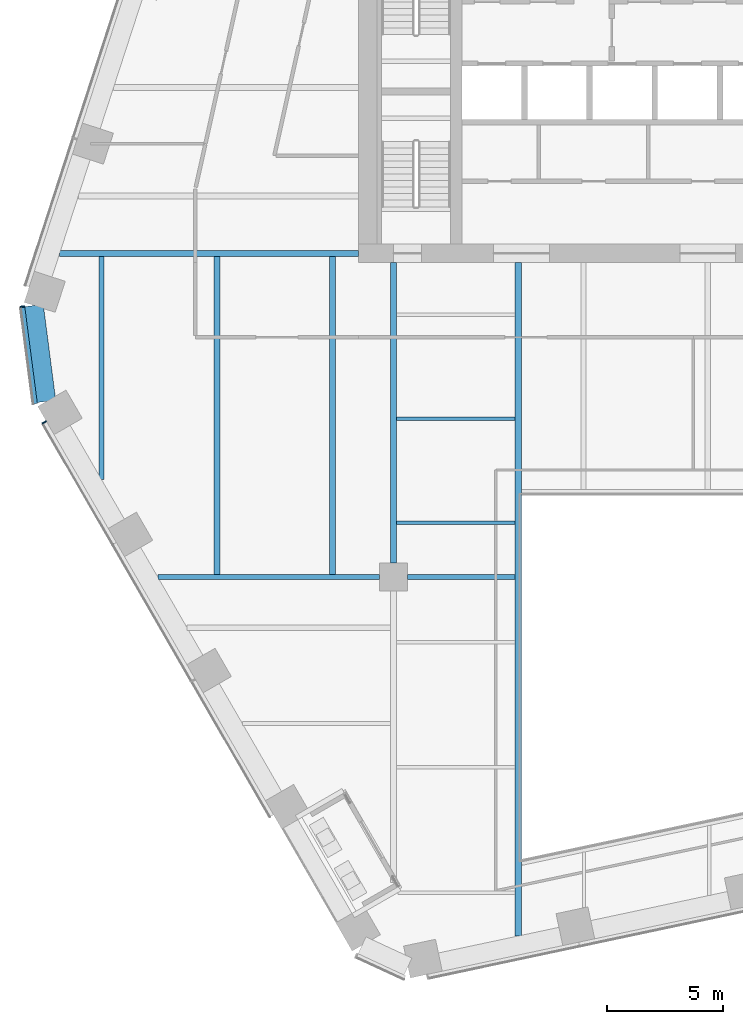
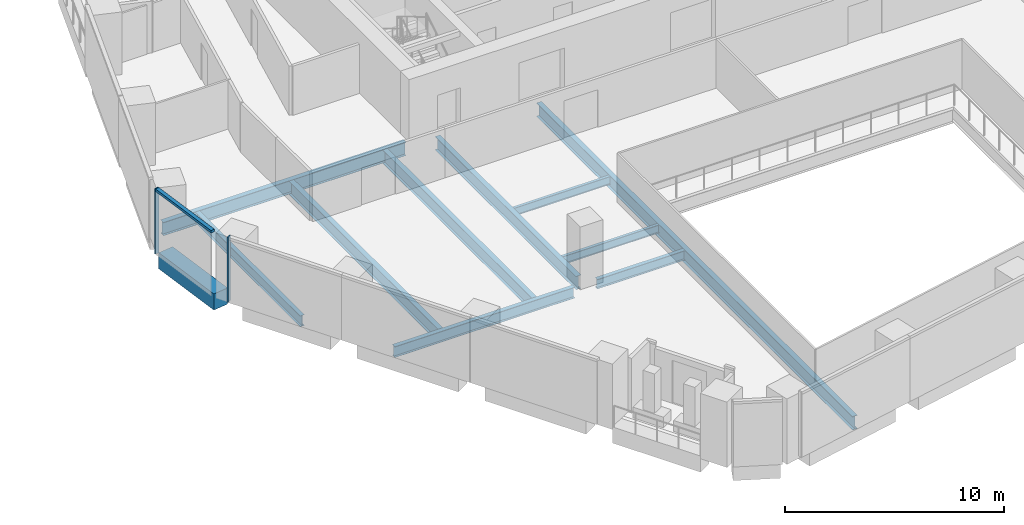
# One storey, part 4 of 26: 11 beams, 3 members, 2 elements without a shape of their own.
"""IFC4 building model written with IfcOpenShell, lengths in metres."""

import ifcopenshell
import ifcopenshell.guid

model = None  # the IFC model being written
_history = None  # IfcOwnerHistory: only IFC2X3 demands one
_inside = {}  # id of a spatial element -> (the spatial element, [elements in it])
_under = {}  # id of a project, library or spatial element -> (it, [spatial elements below it])
_declared = {}  # id of a project -> (the project, [libraries it declares])
_typed = {}  # id of a type object -> (the type object, [elements of that type])
_made_of = {}  # id of a material, layer set ... -> (it, [elements and type objects made of it])


def new_model(schema):
    """Start an empty IFC model of exactly this schema.

    Asked for "IFC4X3", IfcOpenShell would pick the latest addendum, in which some entities
    have other attributes; the version numbers below select the first issue.
    IFC2X3 requires an IfcOwnerHistory on every rooted entity: one is made here for all.
    """
    global model, _history
    if schema == "IFC4X3":
        model = ifcopenshell.file(schema_version=(4, 3, 0, 0))
    else:
        model = ifcopenshell.file(schema=schema)
    _inside.clear()
    _under.clear()
    _declared.clear()
    _typed.clear()
    _made_of.clear()
    _history = None
    if model.schema == "IFC2X3":
        org = make("IfcOrganization", Name="unknown")
        user = make(
            "IfcPersonAndOrganization",
            ThePerson=make("IfcPerson", FamilyName="unknown"),
            TheOrganization=org,
        )
        app = make(
            "IfcApplication",
            ApplicationDeveloper=org,
            Version="unknown",
            ApplicationFullName="unknown",
            ApplicationIdentifier="unknown",
        )
        _history = make(
            "IfcOwnerHistory",
            OwningUser=user,
            OwningApplication=app,
            ChangeAction="ADDED",
            CreationDate=0,
        )
    return model


def make(cls, **values):
    """One entity of the class cls with the attributes given. An attribute that is None is left unset."""
    return model.create_entity(
        cls, **{name: value for name, value in values.items() if value is not None}
    )


def rooted(cls, **values):
    """An entity with a GlobalId (a new one), such as an element, a storey or a relation."""
    return make(cls, GlobalId=ifcopenshell.guid.new(), OwnerHistory=_history, **values)


def si_unit(unit_type, name, prefix=None):
    """IfcSIUnit, for example si_unit("LENGTHUNIT", "METRE", prefix="MILLI")."""
    return make("IfcSIUnit", UnitType=unit_type, Prefix=prefix, Name=name)


def assignment(units):
    """IfcUnitAssignment: the units of a project."""
    return None if units is None else make("IfcUnitAssignment", Units=units)


def point(xyz):
    """IfcCartesianPoint."""
    return None if xyz is None else make("IfcCartesianPoint", Coordinates=xyz)


def direction(xyz):
    """IfcDirection."""
    return None if xyz is None else make("IfcDirection", DirectionRatios=xyz)


def frame(location, z_axis=None, x_axis=None):
    """IfcAxis2Placement3D, a coordinate frame: its origin and axes. An axis left out is left unset."""
    return make(
        "IfcAxis2Placement3D",
        Location=point(location),
        Axis=direction(z_axis),
        RefDirection=direction(x_axis),
    )


def frame_2d(location, x_axis=None):
    """IfcAxis2Placement2D, a coordinate frame in the plane: its origin and x axis."""
    return make(
        "IfcAxis2Placement2D", Location=point(location), RefDirection=direction(x_axis)
    )


def origin():
    """The frame at (0, 0, 0) with its axes left unset."""
    return frame((0.0, 0.0, 0.0))


def origin_2d():
    """The frame at (0, 0) in the plane with its x axis left unset."""
    return frame_2d((0.0, 0.0))


def place(relative_to, where):
    """IfcLocalPlacement: puts the frame where relative to a parent placement (None: the world)."""
    return make(
        "IfcLocalPlacement", PlacementRelTo=relative_to, RelativePlacement=where
    )


def context(
    kind, dimensions, precision=None, world=None, true_north=None, identifier=None
):
    """IfcGeometricRepresentationContext, for example the 3D "Model" context."""
    return make(
        "IfcGeometricRepresentationContext",
        ContextIdentifier=identifier,
        ContextType=kind,
        CoordinateSpaceDimension=dimensions,
        Precision=precision,
        WorldCoordinateSystem=world,
        TrueNorth=true_north,
    )


def subcontext(parent, identifier, kind, view, scale=None):
    """IfcGeometricRepresentationSubContext, for example "Body" below "Model"."""
    return make(
        "IfcGeometricRepresentationSubContext",
        ContextIdentifier=identifier,
        ContextType=kind,
        ParentContext=parent,
        TargetScale=scale,
        TargetView=view,
    )


def project(units=None, contexts=None):
    """IfcProject with its units and contexts."""
    return rooted(
        "IfcProject",
        Name="project",
        RepresentationContexts=contexts,
        UnitsInContext=assignment(units),
    )


def spatial(cls, under=None, at=None, **own):
    """A site, building, storey or space (cls), placed at a placement, below another one or the project."""
    s = rooted(cls, ObjectPlacement=at, **own)
    if under is not None:
        _under.setdefault(under.id(), (under, []))[1].append(s)
    return s


def profile(cls, at=None, kind="AREA", **sizes):
    """A parametric profile (cls). Its sizes go by their IFC names, for example OverallWidth=200.0."""
    return make(cls, ProfileType=kind, Position=at, **sizes)


def rectangle(**sizes):
    """IfcRectangleProfileDef."""
    return profile("IfcRectangleProfileDef", **sizes)


def i_section(**sizes):
    """IfcIShapeProfileDef."""
    return profile("IfcIShapeProfileDef", **sizes)


def extrude(swept, where, along, depth):
    """IfcExtrudedAreaSolid: the profile swept, set in the frame where, extruded along a direction by depth."""
    return make(
        "IfcExtrudedAreaSolid",
        SweptArea=swept,
        Position=where,
        ExtrudedDirection=direction(along),
        Depth=depth,
    )


def shape(context_of_items, identifier, shape_type, items):
    """IfcShapeRepresentation: the items that make up one representation, for example the "Body"."""
    return make(
        "IfcShapeRepresentation",
        ContextOfItems=context_of_items,
        RepresentationIdentifier=identifier,
        RepresentationType=shape_type,
        Items=items,
    )


def material(Name=None, Category=None):
    """IfcMaterial."""
    return make("IfcMaterial", Name=Name, Category=Category)


def layer(
    of_material, thickness, ventilated=None, Name=None, Category=None, Priority=None
):
    """IfcMaterialLayer: one layer of a wall or slab, of a material (None: an air gap)."""
    return make(
        "IfcMaterialLayer",
        Material=of_material,
        LayerThickness=thickness,
        IsVentilated=ventilated,
        Name=Name,
        Category=Category,
        Priority=Priority,
    )


def layer_set(layers, Name=None):
    """IfcMaterialLayerSet."""
    return make("IfcMaterialLayerSet", MaterialLayers=layers, LayerSetName=Name)


def material_profile(
    of_material, cross_section, Name=None, Category=None, Priority=None
):
    """IfcMaterialProfile: a cross section and its material."""
    return make(
        "IfcMaterialProfile",
        Name=Name,
        Material=of_material,
        Profile=cross_section,
        Priority=Priority,
        Category=Category,
    )


def profile_set(profiles, Name=None, composite=None):
    """IfcMaterialProfileSet."""
    return make(
        "IfcMaterialProfileSet",
        Name=Name,
        MaterialProfiles=profiles,
        CompositeProfile=composite,
    )


def made_of(thing, what):
    """Note that an element or type object is made of a material, layer set ...; save() writes the relation."""
    if what is not None:
        _made_of.setdefault(what.id(), (what, []))[1].append(thing)
    return thing


def type_object(cls, material=None, **own):
    """A type object (cls), such as IfcWallType, which elements share."""
    return made_of(rooted(cls, **own), material)


def element(
    cls,
    number,
    at=None,
    inside=None,
    cuts=None,
    type_object=None,
    material=None,
    context=None,
    identifier="Body",
    shape_type=None,
    held_by="IfcProductDefinitionShape",
    body=None,
    shapes=None,
    **own,
):
    """One element of the class cls, such as IfcWall. Its Tag is "e" and its number.

    at: its placement. inside: the storey or other place that contains it. cuts: it is an
    opening in that element (IfcRelVoidsElement). A single representation is given by context,
    identifier, shape_type and body (its items); several are given by shapes. held_by: the class
    of the entity that holds the representations. save() writes the other relations.
    """
    e = rooted(cls, Tag="e%d" % number, ObjectPlacement=at, **own)
    if body is not None:
        shapes = [shape(context, identifier, shape_type, body)]
    if shapes is not None:
        e.Representation = make(held_by, Representations=shapes)
    if inside is not None:
        _inside.setdefault(inside.id(), (inside, []))[1].append(e)
    if cuts is not None:
        rooted(
            "IfcRelVoidsElement", RelatingBuildingElement=cuts, RelatedOpeningElement=e
        )
    if type_object is not None:
        _typed.setdefault(type_object.id(), (type_object, []))[1].append(e)
    return made_of(e, material)


def aggregate(whole, parts):
    """IfcRelAggregates: a whole, such as a stair, and the parts it consists of."""
    return rooted("IfcRelAggregates", RelatingObject=whole, RelatedObjects=parts)


def save(model, path):
    """Write the relations noted so far, then the file.

    IfcRelAggregates (storeys below a building ...), IfcRelContainedInSpatialStructure (elements
    in a storey), IfcRelDefinesByType, IfcRelAssociatesMaterial and IfcRelDeclares: one each for
    every whole, place, type object, material and project.
    """
    for whole, parts in _under.values():
        aggregate(whole, parts)
    for where, things in _inside.values():
        rooted(
            "IfcRelContainedInSpatialStructure",
            RelatedElements=things,
            RelatingStructure=where,
        )
    for kind, things in _typed.values():
        rooted("IfcRelDefinesByType", RelatedObjects=things, RelatingType=kind)
    for what, things in _made_of.values():
        rooted("IfcRelAssociatesMaterial", RelatedObjects=things, RelatingMaterial=what)
    for by, libraries in _declared.values():
        rooted("IfcRelDeclares", RelatingContext=by, RelatedDefinitions=libraries)
    model.write(path)


model = new_model("IFC4")

# Units and contexts
model_context = context("Model", 3, precision=1e-05, world=origin(), true_north=direction((0.0, 1.0)))
body_context = subcontext(model_context, "Body", "Model", "MODEL_VIEW")
ifc_project = project(units=[si_unit("LENGTHUNIT", "METRE"), si_unit("AREAUNIT", "SQUARE_METRE"), si_unit("VOLUMEUNIT", "CUBIC_METRE"), si_unit("PLANEANGLEUNIT", "RADIAN"), si_unit("MASSUNIT", "GRAM", prefix="KILO")], contexts=[model_context])

# Site, building, storey
site_placement = place(None, origin())
site = spatial("IfcSite", under=ifc_project, at=site_placement, CompositionType="ELEMENT")
building_placement = place(site_placement, origin())
building = spatial("IfcBuilding", under=site, at=building_placement, Name="Isthmus Gate Tower", CompositionType="ELEMENT")
storey_placement = place(building_placement, frame((0.0, 0.0, 144.39990234375)))
storey = spatial("IfcBuildingStorey", under=building, at=storey_placement, Name="L35", CompositionType="ELEMENT", Elevation=144.39990234375)

# Curtain wall, member
ifc_material_1 = material(Name="Aluminium, pale champagne anodised", Category="aluminium")
ifc_layer = layer(ifc_material_1, 0.199951171875)
ifc_layer_set = layer_set([ifc_layer], Name="CW-1 UNITISED CURTAIN WALL 200 DEEP")
curtain_wall_type = type_object("IfcCurtainWallType", Name="CW-1 UNITISED CURTAIN WALL 200 DEEP", PredefinedType="NOTDEFINED", material=ifc_layer_set)
curtain_wall_1_placement = place(storey_placement, origin())
curtain_wall_1 = element("IfcCurtainWall", 1, at=curtain_wall_1_placement, inside=storey, type_object=curtain_wall_type, Name="CW-1 NW-SW L35", PredefinedType="NOTDEFINED")
ifc_material_2 = material(Name="Aluminium, pale champagne anodised", Category="aluminium")
ifc_material_profile_1 = material_profile(ifc_material_2, rectangle(XDim=0.06005859375, YDim=0.199951171875, at=origin_2d()), Name="60x200")
ifc_profile_set_1 = profile_set([ifc_material_profile_1], Name="Aluminium, pale champagne anodised")
member_type_1 = type_object("IfcMemberType", Name="CW-1 MULLION 60 X 200", PredefinedType="MULLION", material=ifc_profile_set_1)
member_1_placement = place(storey_placement, frame((-29.42724609375, -1.88525390625, 0.0), z_axis=(0.0, 0.0, 1.0), x_axis=(0.129164534, -0.991623175988, 0.0)))
member_1 = element("IfcMember", 2, at=member_1_placement, type_object=member_type_1, Name="CW-1 mullion", PredefinedType="MULLION", context=body_context, shape_type="SweptSolid", body=[
    extrude(rectangle(XDim=0.06005859375, YDim=0.199951171875, at=origin_2d()), origin(), (0.0, 0.0, 1.0), 3.650146484375),
])

curtain_wall_2_placement = place(storey_placement, origin())
curtain_wall_2 = element("IfcCurtainWall", 3, at=curtain_wall_2_placement, inside=storey, type_object=curtain_wall_type, Name="CW-1 SW L35", PredefinedType="NOTDEFINED")
member_2_placement = place(storey_placement, frame((-28.489501953125, -6.8544921875, 0.0), z_axis=(0.0, 0.0, 1.0), x_axis=(0.5, -0.866025403784, 0.0)))
member_2 = element("IfcMember", 4, at=member_2_placement, type_object=member_type_1, Name="CW-1 mullion", PredefinedType="MULLION", context=body_context, shape_type="SweptSolid", body=[
    extrude(rectangle(XDim=0.06005859375, YDim=0.199951171875, at=origin_2d()), origin(), (0.0, 0.0, 1.0), 3.650146484375),
])
aggregate(curtain_wall_2, [member_2])

# Member
ifc_material_3 = material(Name="Aluminium, pale champagne anodised", Category="aluminium")
ifc_material_profile_2 = material_profile(ifc_material_3, rectangle(XDim=0.199951171875, YDim=0.139892578125, at=origin_2d()), Name="200x140")
ifc_profile_set_2 = profile_set([ifc_material_profile_2], Name="Aluminium, pale champagne anodised")
member_type_2 = type_object("IfcMemberType", Name="CW-1 TRANSOM 200 X 140", PredefinedType="USERDEFINED", material=ifc_profile_set_2)
member_3_placement = place(storey_placement, frame((-29.42333984375, -1.9150390625, 3.580078125), z_axis=(0.129149481977, -0.991625136483, 0.0), x_axis=(0.991625136483, 0.129149481977, 0.0)))
member_3 = element("IfcMember", 5, at=member_3_placement, type_object=member_type_2, Name="CW-1 transom", ObjectType="TRANSOM", PredefinedType="USERDEFINED", context=body_context, shape_type="SweptSolid", body=[
    extrude(rectangle(XDim=0.199951171875, YDim=0.139892578125, at=origin_2d()), origin(), (0.0, 0.0, 1.0), 4.181396484375),
])

aggregate(curtain_wall_1, [member_1, member_3])

# Beams
ifc_material_4 = material(Name="Concrete f'c 60 MPa", Category="concrete")
ifc_material_profile_3 = material_profile(ifc_material_4, rectangle(XDim=0.800048828125, YDim=0.89990234375, at=origin_2d()), Name="RC 800X900")
ifc_profile_set_3 = profile_set([ifc_material_profile_3], Name="Concrete f'c 60 MPa")
beam_type_1 = type_object("IfcBeamType", Name="RC SPANDREL 800 X 900", PredefinedType="SPANDREL", material=ifc_profile_set_3)
beam_1_placement = place(storey_placement, frame((-28.392822265625, -5.955810546875, -0.449951171875), z_axis=(-0.129170777359, 0.991622362735, 0.0), x_axis=(-0.991622362735, -0.129170777359, 0.0)))
element("IfcBeam", 6, at=beam_1_placement, inside=storey, type_object=beam_type_1, Name="str-spandrel-L35-20", PredefinedType="SPANDREL", context=body_context, shape_type="SweptSolid", body=[
    extrude(rectangle(XDim=0.800048828125, YDim=0.89990234375, at=origin_2d()), origin(), (0.0, 0.0, 1.0), 4.15234375),
])
ifc_material_5 = material(Name="Structural steel ASTM A992 Gr 50", Category="steel")
ifc_material_profile_4 = material_profile(ifc_material_5, i_section(OverallWidth=0.15234375, OverallDepth=0.45068359375, WebThickness=0.0078125, FlangeThickness=0.010986328125, at=origin_2d()), Name="W18X35")
ifc_profile_set_4 = profile_set([ifc_material_profile_4], Name="Structural steel ASTM A992 Gr 50")
beam_type_2 = type_object("IfcBeamType", Name="STEEL FLOOR BEAM W18X35", PredefinedType="JOIST", material=ifc_profile_set_4)
for number, where, z_axis, x_axis, name in (
    (7, (-13.3681640625, -11.16259765625, -0.375244140625), (1.0, 0.0, 0.0), (0.0, 1.0, 0.0), "str-beam-L35-07-00"),
    (8, (-13.3681640625, -6.697509765625, -0.375244140625), (1.0, 0.0, 0.0), (0.0, 1.0, 0.0), "str-beam-L35-07-01"),
):
    element("IfcBeam", number, at=place(storey_placement, frame(where, z_axis=z_axis, x_axis=x_axis)), inside=storey, type_object=beam_type_2, Name=name, PredefinedType="JOIST", context=body_context, shape_type="SweptSolid", body=[
        extrude(i_section(OverallWidth=0.15234375, OverallDepth=0.45068359375, WebThickness=0.0078125, FlangeThickness=0.010986328125, at=origin_2d()), origin(), (0.0, 0.0, 1.0), 5.1015625),
    ])
ifc_material_6 = material(Name="Structural steel ASTM A992 Gr 50", Category="steel")
ifc_material_profile_5 = material_profile(ifc_material_6, i_section(OverallWidth=0.228515625, OverallDepth=0.603271484375, WebThickness=0.010986328125, FlangeThickness=0.014404296875, at=origin_2d()), Name="W24X68")
ifc_profile_set_5 = profile_set([ifc_material_profile_5], Name="Structural steel ASTM A992 Gr 50")
beam_type_3 = type_object("IfcBeamType", Name="STEEL FLOOR BEAM W24X68", PredefinedType="JOIST", material=ifc_profile_set_5)
beam_2_placement = place(storey_placement, frame((-26.028564453125, -9.317138671875, -0.451416015625), z_axis=(0.0, 1.0, 0.0), x_axis=(-1.0, 0.0, 0.0)))
element("IfcBeam", 9, at=beam_2_placement, inside=storey, type_object=beam_type_3, Name="str-beam-L35-01-00", PredefinedType="JOIST", context=body_context, shape_type="SweptSolid", body=[
    extrude(i_section(OverallWidth=0.228515625, OverallDepth=0.603271484375, WebThickness=0.010986328125, FlangeThickness=0.014404296875, at=origin_2d()), origin(), (0.0, 0.0, 1.0), 9.58544921875),
])
ifc_material_7 = material(Name="Structural steel ASTM A992 Gr 50", Category="steel")
ifc_material_profile_6 = material_profile(ifc_material_7, i_section(OverallWidth=0.263427734375, OverallDepth=0.749267578125, WebThickness=0.0126953125, FlangeThickness=0.015869140625, at=origin_2d()), Name="W30X90")
ifc_profile_set_6 = profile_set([ifc_material_profile_6], Name="Structural steel ASTM A992 Gr 50")
beam_type_4 = type_object("IfcBeamType", Name="STEEL FLOOR BEAM W30X90", PredefinedType="JOIST", material=ifc_profile_set_6)
for number, where, z_axis, x_axis, name in (
    (10, (-21.06982421875, -13.3857421875, -0.524658203125), (0.0, 1.0, 0.0), (-1.0, 0.0, 0.0), "str-beam-L35-01-01"),
    (11, (-16.111083984375, -13.3857421875, -0.524658203125), (0.0, 1.0, 0.0), (-1.0, 0.0, 0.0), "str-beam-L35-01-02"),
):
    element("IfcBeam", number, at=place(storey_placement, frame(where, z_axis=z_axis, x_axis=x_axis)), inside=storey, type_object=beam_type_4, Name=name, PredefinedType="JOIST", context=body_context, shape_type="SweptSolid", body=[
        extrude(i_section(OverallWidth=0.263427734375, OverallDepth=0.749267578125, WebThickness=0.0126953125, FlangeThickness=0.015869140625, at=origin_2d()), origin(), (0.0, 0.0, 1.0), 13.654052734375),
    ])
ifc_material_8 = material(Name="Structural steel ASTM A992 Gr 50", Category="steel")
ifc_material_profile_7 = material_profile(ifc_material_8, i_section(OverallWidth=0.20947265625, OverallDepth=0.533447265625, WebThickness=0.009521484375, FlangeThickness=0.015869140625, at=origin_2d()), Name="W21X62")
ifc_profile_set_7 = profile_set([ifc_material_profile_7], Name="Structural steel ASTM A992 Gr 50")
beam_type_5 = type_object("IfcBeamType", Name="STEEL GIRDER W21X62", PredefinedType="BEAM", material=ifc_profile_set_7)
beam_3_placement = place(storey_placement, frame((-12.89990234375, -13.5, -0.41650390625), z_axis=(1.0, 0.0, 0.0), x_axis=(0.0, 1.0, 0.0)))
element("IfcBeam", 12, at=beam_3_placement, inside=storey, type_object=beam_type_5, Name="str-girder-L35-02", PredefinedType="BEAM", context=body_context, shape_type="SweptSolid", body=[
    extrude(i_section(OverallWidth=0.20947265625, OverallDepth=0.533447265625, WebThickness=0.009521484375, FlangeThickness=0.015869140625, at=origin_2d()), origin(), (0.0, 0.0, 1.0), 4.63330078125),
])
ifc_material_9 = material(Name="Structural steel ASTM A992 Gr 50", Category="steel")
ifc_material_profile_8 = material_profile(ifc_material_9, i_section(OverallWidth=0.228515625, OverallDepth=0.6064453125, WebThickness=0.010986328125, FlangeThickness=0.017578125, at=origin_2d()), Name="W24X76")
ifc_profile_set_8 = profile_set([ifc_material_profile_8], Name="Structural steel ASTM A992 Gr 50")
beam_type_6 = type_object("IfcBeamType", Name="STEEL GIRDER W24X76", PredefinedType="BEAM", material=ifc_profile_set_8)
beam_4_placement = place(storey_placement, frame((-23.613525390625, -13.5, -0.453125), z_axis=(1.0, 0.0, 0.0), x_axis=(0.0, 1.0, 0.0)))
element("IfcBeam", 13, at=beam_4_placement, inside=storey, type_object=beam_type_6, Name="str-girder-L35-01", PredefinedType="BEAM", context=body_context, shape_type="SweptSolid", body=[
    extrude(i_section(OverallWidth=0.228515625, OverallDepth=0.6064453125, WebThickness=0.010986328125, FlangeThickness=0.017578125, at=origin_2d()), origin(), (0.0, 0.0, 1.0), 9.513427734375),
])
ifc_material_10 = material(Name="Structural steel ASTM A992 Gr 50", Category="steel")
ifc_material_profile_9 = material_profile(ifc_material_10, i_section(OverallWidth=0.263427734375, OverallDepth=0.749267578125, WebThickness=0.0126953125, FlangeThickness=0.015869140625, at=origin_2d()), Name="W30X90")
ifc_profile_set_9 = profile_set([ifc_material_profile_9], Name="Structural steel ASTM A992 Gr 50")
beam_type_7 = type_object("IfcBeamType", Name="STEEL GIRDER W30X90", PredefinedType="BEAM", material=ifc_profile_set_9)
beam_5_placement = place(storey_placement, frame((-13.5, -12.89990234375, -0.524658203125), z_axis=(0.0, 1.0, 0.0), x_axis=(-1.0, 0.0, 0.0)))
element("IfcBeam", 14, at=beam_5_placement, inside=storey, type_object=beam_type_7, Name="str-girder-L35-08", PredefinedType="BEAM", context=body_context, shape_type="SweptSolid", body=[
    extrude(i_section(OverallWidth=0.263427734375, OverallDepth=0.749267578125, WebThickness=0.0126953125, FlangeThickness=0.015869140625, at=origin_2d()), origin(), (0.0, 0.0, 1.0), 12.89990234375),
])
beam_6_placement = place(storey_placement, frame((-15.0, 0.39990234375, -0.524658203125), z_axis=(-1.0, 0.0, 0.0), x_axis=(0.0, -1.0, 0.0)))
element("IfcBeam", 15, at=beam_6_placement, inside=storey, type_object=beam_type_7, Name="str-girder-L35-13", PredefinedType="BEAM", context=body_context, shape_type="SweptSolid", body=[
    extrude(i_section(OverallWidth=0.263427734375, OverallDepth=0.749267578125, WebThickness=0.0126953125, FlangeThickness=0.015869140625, at=origin_2d()), origin(), (0.0, 0.0, 1.0), 12.826416015625),
])
ifc_material_11 = material(Name="Structural steel ASTM A992 Gr 50", Category="steel")
ifc_material_profile_10 = material_profile(ifc_material_11, i_section(OverallWidth=0.2666015625, OverallDepth=0.7587890625, WebThickness=0.014404296875, FlangeThickness=0.01904296875, at=origin_2d()), Name="W30X108")
ifc_profile_set_10 = profile_set([ifc_material_profile_10], Name="Structural steel ASTM A992 Gr 50")
beam_type_8 = type_object("IfcBeamType", Name="STEEL TRIMMER W30X108", PredefinedType="BEAM", material=ifc_profile_set_10)
beam_7_placement = place(storey_placement, frame((-8.13330078125, 0.0, -0.529296875), z_axis=(0.0, -1.0, 0.0), x_axis=(1.0, 0.0, 0.0)))
element("IfcBeam", 16, at=beam_7_placement, inside=storey, type_object=beam_type_8, Name="str-trimmer-L35-02", PredefinedType="BEAM", context=body_context, shape_type="SweptSolid", body=[
    extrude(i_section(OverallWidth=0.2666015625, OverallDepth=0.7587890625, WebThickness=0.014404296875, FlangeThickness=0.01904296875, at=origin_2d()), origin(), (0.0, 0.0, 1.0), 28.910888671875),
])

save(model, "model.ifc")
